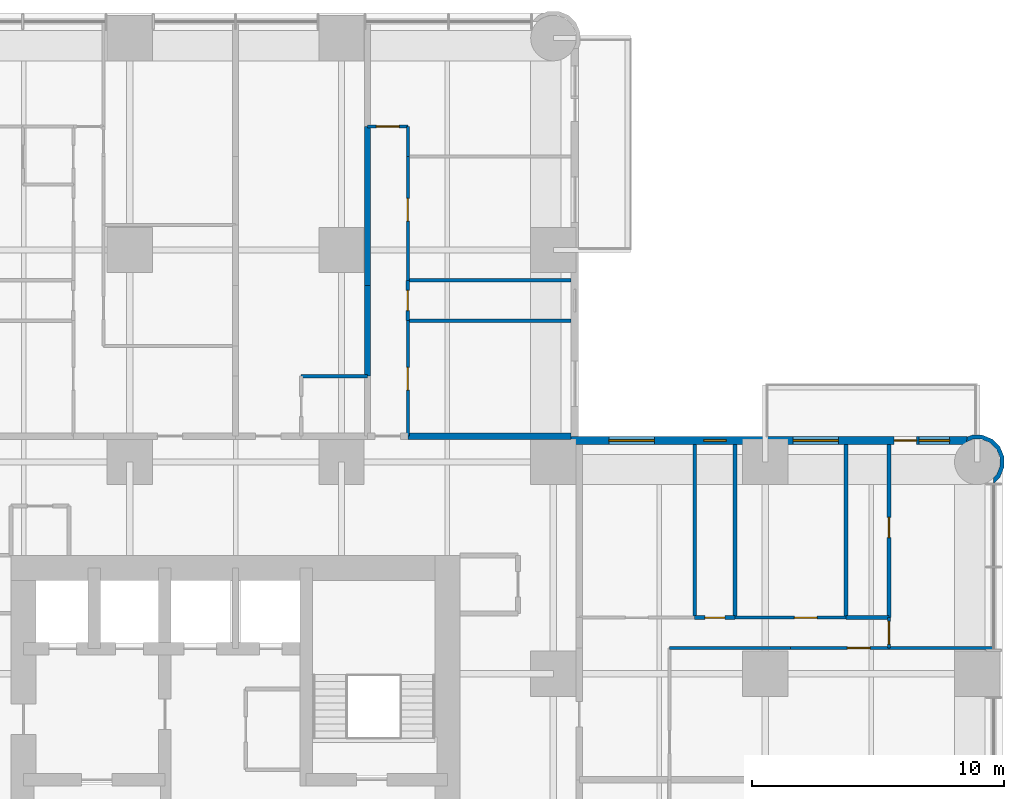
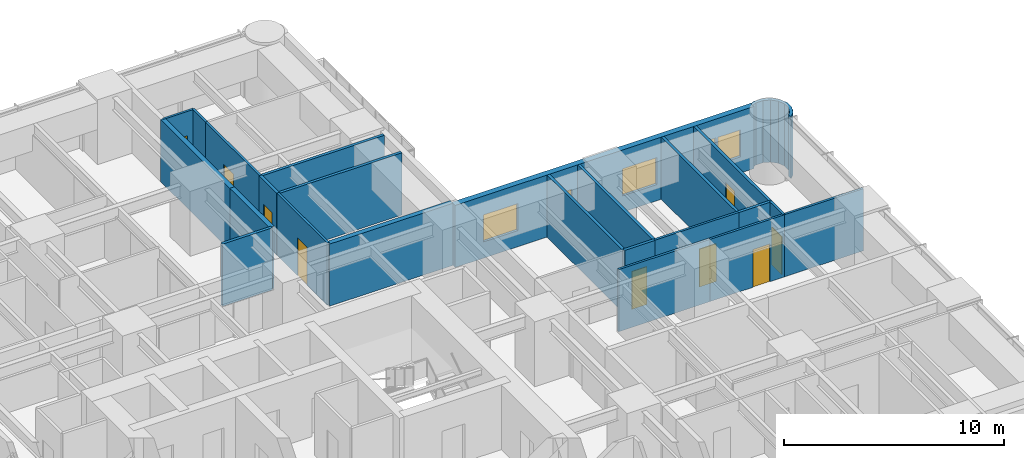
# One storey, part 14 of 17: 24 walls, 10 doors, 4 windows, 14 openings.
"""IFC4 building model written with IfcOpenShell, lengths in metres."""

from ifc_helpers import new_model, si_unit, direction, frame, frame_2d, origin, place, context, subcontext, project, spatial, polyline, rectangle, outline, extrude, material, layer, layer_set, type_object, element, fill, save


model = new_model("IFC4")

# Units and contexts
model_context = context("Model", 3, precision=1e-05, world=origin(), true_north=direction((0.0, 1.0)))
body_context = subcontext(model_context, "Body", "Model", "MODEL_VIEW")
ifc_project = project(units=[si_unit("LENGTHUNIT", "METRE"), si_unit("AREAUNIT", "SQUARE_METRE"), si_unit("VOLUMEUNIT", "CUBIC_METRE"), si_unit("PLANEANGLEUNIT", "RADIAN"), si_unit("MASSUNIT", "GRAM", prefix="KILO")], contexts=[model_context])

# Site, building, storey
site_placement = place(None, origin())
site = spatial("IfcSite", under=ifc_project, at=site_placement, CompositionType="ELEMENT")
building_placement = place(site_placement, origin())
building = spatial("IfcBuilding", under=site, at=building_placement, Name="Torre Alcanfor", CompositionType="ELEMENT")
storey_placement = place(building_placement, frame((0.0, 0.0, 70.5)))
storey = spatial("IfcBuildingStorey", under=building, at=storey_placement, Name="L17", CompositionType="ELEMENT", Elevation=70.5)

# Wall
ifc_material_1 = material(Name="Concrete block masonry, hollow blocks NMX-C-404 9 MPa", Category="masonry")
ifc_layer_1 = layer(ifc_material_1, 0.25)
ifc_layer_set_1 = layer_set([ifc_layer_1], Name="Apartment entrance wall 250 EI 60")
wall_type_1 = type_object("IfcWallType", Name="Apartment entrance wall 250 EI 60", PredefinedType="PARTITIONING", material=ifc_layer_set_1)
wall_1_placement = place(storey_placement, frame((36.22900390625, 43.02490234375, 0.0), z_axis=(0.0, 0.0, 1.0), x_axis=(1.0, 0.0, 0.0)))
element("IfcWall", 1, at=wall_1_placement, inside=storey, type_object=wall_type_1, Name="Partition L17-CORR / L17-N2B-BED2", PredefinedType="PARTITIONING", context=body_context, shape_type="SweptSolid", body=[
    extrude(rectangle(XDim=6.470947265625, YDim=0.25, at=frame_2d((3.2353515625, 0.0))), origin(), (0.0, 0.0, 1.0), 3.449951171875),
])

# Wall, opening, door
ifc_material_2 = material(Name="Gypsum board on steel studs", Category="steel")
ifc_layer_2 = layer(ifc_material_2, 0.1201171875)
ifc_layer_set_2 = layer_set([ifc_layer_2], Name="Apartment partition 120")
wall_type_2 = type_object("IfcWallType", Name="Apartment partition 120", PredefinedType="PARTITIONING", material=ifc_layer_set_2)
wall_2_placement = place(storey_placement, frame((36.22900390625, 47.60009765625, 0.0), z_axis=(0.0, 0.0, 1.0), x_axis=(0.0, -1.0, 0.0)))
wall_2 = element("IfcWall", 2, at=wall_2_placement, inside=storey, type_object=wall_type_2, Name="Partition L17-N2B-HALL / L17-N2B-BED2", PredefinedType="PARTITIONING", context=body_context, shape_type="SweptSolid", body=[
    extrude(rectangle(XDim=4.5751953125, YDim=0.1201171875, at=frame_2d((2.28759765625, 0.0))), origin(), (0.0, 0.0, 1.0), 3.449951171875),
])
opening_1_placement = place(wall_2_placement, frame((1.85009765625, 0.0, 0.0)))
opening_1 = element("IfcOpeningElement", 3, at=opening_1_placement, cuts=wall_2, Name="Opening D-R1", PredefinedType="OPENING", context=body_context, shape_type="SweptSolid", body=[
    extrude(rectangle(XDim=0.89990234375, YDim=2.10009765625, at=frame_2d((0.449951171875, 1.050048828125))), frame((0.0, 0.070068359375, 0.0), z_axis=(0.0, -1.0, 0.0), x_axis=(1.0, 0.0, 0.0)), (0.0, 0.0, 1.0), 0.14013671875),
])
ifc_material_3 = material(Name="Timber", Category="wood")
door_type_1 = type_object("IfcDoorType", Name="Internal door 900x2100", OperationType="SINGLE_SWING_LEFT", PredefinedType="DOOR", material=ifc_material_3)
door_1_placement = place(opening_1_placement, origin())
door_1 = element("IfcDoor", 4, at=door_1_placement, inside=storey, type_object=door_type_1, Name="Door L17-N2B bed2", OperationType="SINGLE_SWING_RIGHT", OverallHeight=2.10009765625, OverallWidth=0.89990234375, PredefinedType="DOOR", context=body_context, shape_type="SweptSolid", body=[
    extrude(rectangle(XDim=0.89990234375, YDim=2.10009765625, at=frame_2d((0.449951171875, 1.050048828125))), frame((0.0, 0.02490234375, 0.0), z_axis=(0.0, -1.0, 0.0), x_axis=(1.0, 0.0, 0.0)), (0.0, 0.0, 1.0), 0.050048828125),
])
fill(opening_1, door_1)

wall_3_placement = place(storey_placement, frame((36.22900390625, 54.10009765625, 0.0), z_axis=(0.0, 0.0, 1.0), x_axis=(0.0, -1.0, 0.0)))
wall_3 = element("IfcWall", 5, at=wall_3_placement, inside=storey, type_object=wall_type_2, Name="Partition L17-N2B-HALL / L17-N2B-MASTER", PredefinedType="PARTITIONING", context=body_context, shape_type="SweptSolid", body=[
    extrude(rectangle(XDim=4.900146484375, YDim=0.1201171875, at=frame_2d((2.4501953125, 0.0))), origin(), (0.0, 0.0, 1.0), 3.449951171875),
])
opening_2_placement = place(wall_3_placement, frame((1.64990234375, 0.0, 0.0)))
opening_2 = element("IfcOpeningElement", 6, at=opening_2_placement, cuts=wall_3, Name="Opening D-R1", PredefinedType="OPENING", context=body_context, shape_type="SweptSolid", body=[
    extrude(rectangle(XDim=0.89990234375, YDim=2.10009765625, at=frame_2d((0.449951171875, 1.050048828125))), frame((0.0, 0.070068359375, 0.0), z_axis=(0.0, -1.0, 0.0), x_axis=(1.0, 0.0, 0.0)), (0.0, 0.0, 1.0), 0.14013671875),
])
door_2_placement = place(opening_2_placement, origin())
door_2 = element("IfcDoor", 7, at=door_2_placement, inside=storey, type_object=door_type_1, Name="Door L17-N2B master", OperationType="SINGLE_SWING_LEFT", OverallHeight=2.10009765625, OverallWidth=0.89990234375, PredefinedType="DOOR", context=body_context, shape_type="SweptSolid", body=[
    extrude(rectangle(XDim=0.89990234375, YDim=2.10009765625, at=frame_2d((0.449951171875, 1.050048828125))), frame((0.0, 0.02490234375, 0.0), z_axis=(0.0, -1.0, 0.0), x_axis=(1.0, 0.0, 0.0)), (0.0, 0.0, 1.0), 0.050048828125),
])
fill(opening_2, door_2)

# Wall
wall_4_placement = place(storey_placement, frame((36.22900390625, 55.300048828125, 0.0), z_axis=(0.0, 0.0, 1.0), x_axis=(0.0, -1.0, 0.0)))
element("IfcWall", 8, at=wall_4_placement, inside=storey, type_object=wall_type_2, Name="Partition L17-N2B-HALL / L17-N2B-KITCHEN", PredefinedType="PARTITIONING", context=body_context, shape_type="SweptSolid", body=[
    extrude(rectangle(XDim=1.199951171875, YDim=0.1201171875, at=frame_2d((0.60009765625, 0.0))), origin(), (0.0, 0.0, 1.0), 3.449951171875),
])

# Wall, opening, door
wall_5_placement = place(storey_placement, frame((34.62890625, 55.300048828125, 0.0), z_axis=(0.0, 0.0, 1.0), x_axis=(1.0, 0.0, 0.0)))
wall_5 = element("IfcWall", 9, at=wall_5_placement, inside=storey, type_object=wall_type_2, Name="Partition L17-N2B-HALL / L17-N2B-LIVING", PredefinedType="PARTITIONING", context=body_context, shape_type="SweptSolid", body=[
    extrude(rectangle(XDim=1.60009765625, YDim=0.1201171875, at=frame_2d((0.800048828125, 0.0))), origin(), (0.0, 0.0, 1.0), 3.449951171875),
])
opening_3_placement = place(wall_5_placement, frame((0.35009765625, 0.0, 0.0)))
opening_3 = element("IfcOpeningElement", 10, at=opening_3_placement, cuts=wall_5, Name="Opening D-R1", PredefinedType="OPENING", context=body_context, shape_type="SweptSolid", body=[
    extrude(rectangle(XDim=0.89990234375, YDim=2.10009765625, at=frame_2d((0.449951171875, 1.050048828125))), frame((0.0, 0.070068359375, 0.0), z_axis=(0.0, -1.0, 0.0), x_axis=(1.0, 0.0, 0.0)), (0.0, 0.0, 1.0), 0.14013671875),
])
door_3_placement = place(opening_3_placement, origin())
door_3 = element("IfcDoor", 11, at=door_3_placement, inside=storey, type_object=door_type_1, Name="Door L17-N2B living", OperationType="SINGLE_SWING_LEFT", OverallHeight=2.10009765625, OverallWidth=0.89990234375, PredefinedType="DOOR", context=body_context, shape_type="SweptSolid", body=[
    extrude(rectangle(XDim=0.89990234375, YDim=2.10009765625, at=frame_2d((0.449951171875, 1.050048828125))), frame((0.0, 0.02490234375, 0.0), z_axis=(0.0, -1.0, 0.0), x_axis=(1.0, 0.0, 0.0)), (0.0, 0.0, 1.0), 0.050048828125),
])
fill(opening_3, door_3)

# Wall
wall_6_placement = place(storey_placement, frame((51.39990234375, 34.62890625, 0.0), z_axis=(0.0, 0.0, 1.0), x_axis=(-1.0, 0.0, 0.0)))
element("IfcWall", 12, at=wall_6_placement, inside=storey, type_object=wall_type_2, Name="Partition L17-E1-KITCHEN / L17-E1-HALL", PredefinedType="PARTITIONING", context=body_context, shape_type="SweptSolid", body=[
    extrude(rectangle(XDim=4.7998046875, YDim=0.1201171875, at=frame_2d((2.39990234375, 0.0))), origin(), (0.0, 0.0, 1.0), 3.449951171875),
])

# Wall, opening, door
wall_7_placement = place(storey_placement, frame((55.300048828125, 34.62890625, 0.0), z_axis=(0.0, 0.0, 1.0), x_axis=(-1.0, 0.0, 0.0)))
wall_7 = element("IfcWall", 13, at=wall_7_placement, inside=storey, type_object=wall_type_2, Name="Partition L17-E1-LIVING / L17-E1-HALL", PredefinedType="PARTITIONING", context=body_context, shape_type="SweptSolid", body=[
    extrude(rectangle(XDim=3.900146484375, YDim=0.1201171875, at=frame_2d((1.9501953125, 0.0))), origin(), (0.0, 0.0, 1.0), 3.449951171875),
])
opening_4_placement = place(wall_7_placement, frame((0.75, 0.0, 0.0)))
opening_4 = element("IfcOpeningElement", 14, at=opening_4_placement, cuts=wall_7, Name="Opening D-R1", PredefinedType="OPENING", context=body_context, shape_type="SweptSolid", body=[
    extrude(rectangle(XDim=0.89990234375, YDim=2.10009765625, at=frame_2d((0.449951171875, 1.050048828125))), frame((0.0, 0.070068359375, 0.0), z_axis=(0.0, -1.0, 0.0), x_axis=(1.0, 0.0, 0.0)), (0.0, 0.0, 1.0), 0.14013671875),
])
door_4_placement = place(opening_4_placement, origin())
door_4 = element("IfcDoor", 15, at=door_4_placement, inside=storey, type_object=door_type_1, Name="Door L17-E1 living", OperationType="SINGLE_SWING_RIGHT", OverallHeight=2.10009765625, OverallWidth=0.89990234375, PredefinedType="DOOR", context=body_context, shape_type="SweptSolid", body=[
    extrude(rectangle(XDim=0.89990234375, YDim=2.10009765625, at=frame_2d((0.449951171875, 1.050048828125))), frame((0.0, 0.02490234375, 0.0), z_axis=(0.0, -1.0, 0.0), x_axis=(1.0, 0.0, 0.0)), (0.0, 0.0, 1.0), 0.050048828125),
])
fill(opening_4, door_4)

# Wall
wall_8_placement = place(storey_placement, frame((59.449951171875, 34.62890625, 0.0), z_axis=(0.0, 0.0, 1.0), x_axis=(-1.0, 0.0, 0.0)))
element("IfcWall", 16, at=wall_8_placement, inside=storey, type_object=wall_type_2, Name="Partition L17-E1-LIVING / L17-E1-MASTER", PredefinedType="PARTITIONING", context=body_context, shape_type="SweptSolid", body=[
    extrude(rectangle(XDim=4.14990234375, YDim=0.1201171875, at=frame_2d((2.074951171875, 0.0))), origin(), (0.0, 0.0, 1.0), 3.449951171875),
])

# Wall, opening, door
wall_9_placement = place(storey_placement, frame((53.60009765625, 35.8291015625, 0.0), z_axis=(0.0, 0.0, 1.0), x_axis=(-1.0, 0.0, 0.0)))
wall_9 = element("IfcWall", 17, at=wall_9_placement, inside=storey, type_object=wall_type_2, Name="Partition L17-E1-HALL / L17-E1-BED2", PredefinedType="PARTITIONING", context=body_context, shape_type="SweptSolid", body=[
    extrude(rectangle(XDim=4.400146484375, YDim=0.1201171875, at=frame_2d((2.2001953125, 0.0))), origin(), (0.0, 0.0, 1.0), 3.449951171875),
])
opening_5_placement = place(wall_9_placement, frame((1.14990234375, 0.0, 0.0)))
opening_5 = element("IfcOpeningElement", 18, at=opening_5_placement, cuts=wall_9, Name="Opening D-R1", PredefinedType="OPENING", context=body_context, shape_type="SweptSolid", body=[
    extrude(rectangle(XDim=0.89990234375, YDim=2.10009765625, at=frame_2d((0.449951171875, 1.050048828125))), frame((0.0, 0.070068359375, 0.0), z_axis=(0.0, -1.0, 0.0), x_axis=(1.0, 0.0, 0.0)), (0.0, 0.0, 1.0), 0.14013671875),
])
door_5_placement = place(opening_5_placement, frame((0.89990234375, 0.0, 0.0), z_axis=(0.0, 0.0, 1.0), x_axis=(-1.0, 0.0, 0.0)))
door_5 = element("IfcDoor", 19, at=door_5_placement, inside=storey, type_object=door_type_1, Name="Door L17-E1 bed2", OperationType="SINGLE_SWING_RIGHT", OverallHeight=2.10009765625, OverallWidth=0.89990234375, PredefinedType="DOOR", context=body_context, shape_type="SweptSolid", body=[
    extrude(rectangle(XDim=0.89990234375, YDim=2.10009765625, at=frame_2d((0.449951171875, 1.050048828125))), frame((0.0, 0.025146484375, 0.0), z_axis=(0.0, -1.0, 0.0), x_axis=(1.0, 0.0, 0.0)), (0.0, 0.0, 1.0), 0.050048828125),
])
fill(opening_5, door_5)

wall_10_placement = place(storey_placement, frame((55.300048828125, 34.62890625, 0.0), z_axis=(0.0, 0.0, 1.0), x_axis=(0.0, 1.0, 0.0)))
wall_10 = element("IfcWall", 20, at=wall_10_placement, inside=storey, type_object=wall_type_2, Name="Partition L17-E1-HALL / L17-E1-MASTER", PredefinedType="PARTITIONING", context=body_context, shape_type="SweptSolid", body=[
    extrude(rectangle(XDim=1.2001953125, YDim=0.1201171875, at=frame_2d((0.60009765625, 0.0))), origin(), (0.0, 0.0, 1.0), 3.449951171875),
])
opening_6_placement = place(wall_10_placement, frame((0.15087890625, 0.0, 0.0)))
opening_6 = element("IfcOpeningElement", 21, at=opening_6_placement, cuts=wall_10, Name="Opening D-R1", PredefinedType="OPENING", context=body_context, shape_type="SweptSolid", body=[
    extrude(rectangle(XDim=0.89990234375, YDim=2.10009765625, at=frame_2d((0.449951171875, 1.050048828125))), frame((0.0, 0.070068359375, 0.0), z_axis=(0.0, -1.0, 0.0), x_axis=(1.0, 0.0, 0.0)), (0.0, 0.0, 1.0), 0.14013671875),
])
door_6_placement = place(opening_6_placement, frame((0.89990234375, 0.0, 0.0), z_axis=(0.0, 0.0, 1.0), x_axis=(-1.0, 0.0, 0.0)))
door_6 = element("IfcDoor", 22, at=door_6_placement, inside=storey, type_object=door_type_1, Name="Door L17-E1 master", OperationType="SINGLE_SWING_RIGHT", OverallHeight=2.10009765625, OverallWidth=0.89990234375, PredefinedType="DOOR", context=body_context, shape_type="SweptSolid", body=[
    extrude(rectangle(XDim=0.89990234375, YDim=2.10009765625, at=frame_2d((0.449951171875, 1.050048828125))), frame((0.0, 0.025146484375, 0.0), z_axis=(0.0, -1.0, 0.0), x_axis=(1.0, 0.0, 0.0)), (0.0, 0.0, 1.0), 0.050048828125),
])
fill(opening_6, door_6)

# Wall, openings, door, windows
ifc_material_4 = material(Name="Limestone cladding", Category="masonry")
ifc_layer_3 = layer(ifc_material_4, 0.0400390625, Name="Facing")
ifc_material_5 = material(Name="Ventilated air cavity")
ifc_layer_4 = layer(ifc_material_5, 0.02001953125, ventilated=True, Name="Ventilated joint")
ifc_material_6 = material(Name="Mineral wool insulation", Category="insulation")
ifc_layer_5 = layer(ifc_material_6, 0.10009765625, Name="Insulation")
ifc_material_7 = material(Name="Concrete f'c 35 MPa", Category="concrete")
ifc_layer_6 = layer(ifc_material_7, 0.139892578125, Name="Backing")
ifc_layer_set_3 = layer_set([ifc_layer_3, ifc_layer_4, ifc_layer_5, ifc_layer_6], Name="External wall stone-clad 300")
wall_type_3 = type_object("IfcWallType", Name="External wall stone-clad 300", PredefinedType="SOLIDWALL", material=ifc_layer_set_3)
wall_11_placement = place(storey_placement, frame((58.39990234375, 42.85009765625, 0.0), z_axis=(0.0, 0.0, 1.0), x_axis=(-1.0, 0.0, 0.0)))
wall_11 = element("IfcWall", 23, at=wall_11_placement, inside=storey, type_object=wall_type_3, Name="External wall L17 9", PredefinedType="SOLIDWALL", context=body_context, shape_type="SweptSolid", body=[
    extrude(rectangle(XDim=15.699951171875, YDim=0.300048828125, at=frame_2d((7.85009765625, 0.0))), origin(), (0.0, 0.0, 1.0), 3.449951171875),
])
opening_7_placement = place(wall_11_placement, frame((12.39990234375, 0.0, 0.89990234375)))
opening_7 = element("IfcOpeningElement", 24, at=opening_7_placement, cuts=wall_11, Name="Opening W2", PredefinedType="OPENING", context=body_context, shape_type="SweptSolid", body=[
    extrude(rectangle(XDim=1.800048828125, YDim=1.5, at=frame_2d((0.89990234375, 0.75))), frame((0.0, 0.159912109375, 0.0), z_axis=(0.0, -1.0, 0.0), x_axis=(1.0, 0.0, 0.0)), (0.0, 0.0, 1.0), 0.320068359375),
])
opening_8_placement = place(wall_11_placement, frame((9.550048828125, 0.0, 1.5)))
opening_8 = element("IfcOpeningElement", 25, at=opening_8_placement, cuts=wall_11, Name="Opening W3", PredefinedType="OPENING", context=body_context, shape_type="SweptSolid", body=[
    extrude(rectangle(XDim=0.89990234375, YDim=0.699951171875, at=frame_2d((0.449951171875, 0.35009765625))), frame((0.0, 0.159912109375, 0.0), z_axis=(0.0, -1.0, 0.0), x_axis=(1.0, 0.0, 0.0)), (0.0, 0.0, 1.0), 0.320068359375),
])
opening_9_placement = place(wall_11_placement, frame((5.10009765625, 0.0, 0.89990234375)))
opening_9 = element("IfcOpeningElement", 26, at=opening_9_placement, cuts=wall_11, Name="Opening W2", PredefinedType="OPENING", context=body_context, shape_type="SweptSolid", body=[
    extrude(rectangle(XDim=1.800048828125, YDim=1.5, at=frame_2d((0.89990234375, 0.75))), frame((0.0, 0.159912109375, 0.0), z_axis=(0.0, -1.0, 0.0), x_axis=(1.0, 0.0, 0.0)), (0.0, 0.0, 1.0), 0.320068359375),
])
opening_10_placement = place(wall_11_placement, frame((2.0, 0.0, 0.0)))
opening_10 = element("IfcOpeningElement", 27, at=opening_10_placement, cuts=wall_11, Name="Opening D-B1", PredefinedType="OPENING", context=body_context, shape_type="SweptSolid", body=[
    extrude(rectangle(XDim=0.89990234375, YDim=2.39990234375, at=frame_2d((0.449951171875, 1.199951171875))), frame((0.0, 0.159912109375, 0.0), z_axis=(0.0, -1.0, 0.0), x_axis=(1.0, 0.0, 0.0)), (0.0, 0.0, 1.0), 0.320068359375),
])
opening_11_placement = place(wall_11_placement, frame((0.699951171875, 0.0, 0.89990234375)))
opening_11 = element("IfcOpeningElement", 28, at=opening_11_placement, cuts=wall_11, Name="Opening W4", PredefinedType="OPENING", context=body_context, shape_type="SweptSolid", body=[
    extrude(rectangle(XDim=1.199951171875, YDim=1.5, at=frame_2d((0.60009765625, 0.75))), frame((0.0, 0.159912109375, 0.0), z_axis=(0.0, -1.0, 0.0), x_axis=(1.0, 0.0, 0.0)), (0.0, 0.0, 1.0), 0.320068359375),
])
ifc_material_8 = material(Name="Aluminium and glass", Category="aluminium")
door_type_2 = type_object("IfcDoorType", Name="Balcony door glazed 900x2400", OperationType="SINGLE_SWING_LEFT", PredefinedType="DOOR", material=ifc_material_8)
door_7_placement = place(opening_10_placement, origin())
door_7 = element("IfcDoor", 29, at=door_7_placement, inside=storey, type_object=door_type_2, Name="Balcony door L17-E1", OperationType="SINGLE_SWING_RIGHT", OverallHeight=2.39990234375, OverallWidth=0.89990234375, PredefinedType="DOOR", context=body_context, shape_type="SweptSolid", body=[
    extrude(rectangle(XDim=0.89990234375, YDim=2.39990234375, at=frame_2d((0.449951171875, 1.199951171875))), frame((0.0, 0.02490234375, 0.0), z_axis=(0.0, -1.0, 0.0), x_axis=(1.0, 0.0, 0.0)), (0.0, 0.0, 1.0), 0.050048828125),
])
fill(opening_10, door_7)
ifc_material_9 = material(Name="Aluminium frame with clear double glazing", Category="aluminium")
window_type_1 = type_object("IfcWindowType", Name="Window bathroom 900x700", PartitioningType="SINGLE_PANEL", PredefinedType="WINDOW", material=ifc_material_9)
window_1_placement = place(opening_8_placement, origin())
window_1 = element("IfcWindow", 30, at=window_1_placement, inside=storey, type_object=window_type_1, Name="Window W3 L17-E1", OverallHeight=0.699951171875, OverallWidth=0.89990234375, PartitioningType="SINGLE_PANEL", PredefinedType="WINDOW", context=body_context, shape_type="SweptSolid", body=[
    extrude(rectangle(XDim=0.89990234375, YDim=0.699951171875, at=frame_2d((0.449951171875, 0.35009765625))), frame((0.0, 0.030029296875, 0.0), z_axis=(0.0, -1.0, 0.0), x_axis=(1.0, 0.0, 0.0)), (0.0, 0.0, 1.0), 0.06005859375),
])
fill(opening_8, window_1)
ifc_material_10 = material(Name="Aluminium frame with clear double glazing", Category="aluminium")
window_type_2 = type_object("IfcWindowType", Name="Window bedroom 1200x1500", PartitioningType="SINGLE_PANEL", PredefinedType="WINDOW", material=ifc_material_10)
window_2_placement = place(opening_11_placement, origin())
window_2 = element("IfcWindow", 31, at=window_2_placement, inside=storey, type_object=window_type_2, Name="Window W4 L17-E1", OverallHeight=1.5, OverallWidth=1.199951171875, PartitioningType="SINGLE_PANEL", PredefinedType="WINDOW", context=body_context, shape_type="SweptSolid", body=[
    extrude(rectangle(XDim=1.199951171875, YDim=1.5, at=frame_2d((0.60009765625, 0.75))), frame((0.0, 0.030029296875, 0.0), z_axis=(0.0, -1.0, 0.0), x_axis=(1.0, 0.0, 0.0)), (0.0, 0.0, 1.0), 0.06005859375),
])
fill(opening_11, window_2)
ifc_material_11 = material(Name="Aluminium frame with clear double glazing", Category="aluminium")
window_type_3 = type_object("IfcWindowType", Name="Window bedroom 1800x1500", PartitioningType="SINGLE_PANEL", PredefinedType="WINDOW", material=ifc_material_11)
window_3_placement = place(opening_7_placement, origin())
window_3 = element("IfcWindow", 32, at=window_3_placement, inside=storey, type_object=window_type_3, Name="Window W2 L17-E1", OverallHeight=1.5, OverallWidth=1.800048828125, PartitioningType="SINGLE_PANEL", PredefinedType="WINDOW", context=body_context, shape_type="SweptSolid", body=[
    extrude(rectangle(XDim=1.800048828125, YDim=1.5, at=frame_2d((0.89990234375, 0.75))), frame((0.0, 0.030029296875, 0.0), z_axis=(0.0, -1.0, 0.0), x_axis=(1.0, 0.0, 0.0)), (0.0, 0.0, 1.0), 0.06005859375),
])
fill(opening_7, window_3)
window_4_placement = place(opening_9_placement, origin())
window_4 = element("IfcWindow", 33, at=window_4_placement, inside=storey, type_object=window_type_3, Name="Window W2 L17-E1", OverallHeight=1.5, OverallWidth=1.800048828125, PartitioningType="SINGLE_PANEL", PredefinedType="WINDOW", context=body_context, shape_type="SweptSolid", body=[
    extrude(rectangle(XDim=1.800048828125, YDim=1.5, at=frame_2d((0.89990234375, 0.75))), frame((0.0, 0.030029296875, 0.0), z_axis=(0.0, -1.0, 0.0), x_axis=(1.0, 0.0, 0.0)), (0.0, 0.0, 1.0), 0.06005859375),
])
fill(opening_9, window_4)

# Walls
ifc_material_12 = material(Name="Concrete block masonry, hollow blocks NMX-C-404 9 MPa", Category="masonry")
ifc_layer_7 = layer(ifc_material_12, 0.25)
ifc_layer_set_4 = layer_set([ifc_layer_7], Name="Party wall 250 EI 60")
wall_type_4 = type_object("IfcWallType", Name="Party wall 250 EI 60", PredefinedType="PARTITIONING", material=ifc_layer_set_4)
wall_12_placement = place(storey_placement, frame((34.62890625, 49.0, 0.0), z_axis=(0.0, 0.0, 1.0), x_axis=(0.0, -1.0, 0.0)))
element("IfcWall", 34, at=wall_12_placement, inside=storey, type_object=wall_type_4, Name="Partition L17-N2A-KITCHEN / L17-N2B-HALL", PredefinedType="PARTITIONING", context=body_context, shape_type="SweptSolid", body=[
    extrude(rectangle(XDim=3.60009765625, YDim=0.25, at=frame_2d((1.800048828125, 0.0))), origin(), (0.0, 0.0, 1.0), 3.449951171875),
])
wall_13_placement = place(storey_placement, frame((34.62890625, 55.300048828125, 0.0), z_axis=(0.0, 0.0, 1.0), x_axis=(0.0, -1.0, 0.0)))
element("IfcWall", 35, at=wall_13_placement, inside=storey, type_object=wall_type_4, Name="Partition L17-N2A-STUDIO / L17-N2B-HALL", PredefinedType="PARTITIONING", context=body_context, shape_type="SweptSolid", body=[
    extrude(rectangle(XDim=6.300048828125, YDim=0.25, at=frame_2d((3.14990234375, 0.0))), origin(), (0.0, 0.0, 1.0), 3.449951171875),
])
ifc_layer_8 = layer(ifc_material_4, 0.0400390625, Name="Facing")
ifc_layer_9 = layer(ifc_material_5, 0.02001953125, ventilated=True, Name="Ventilated joint")
ifc_layer_10 = layer(ifc_material_6, 0.10009765625, Name="Insulation")
ifc_layer_11 = layer(ifc_material_7, 0.139892578125, Name="Backing")
ifc_layer_set_5 = layer_set([ifc_layer_8, ifc_layer_9, ifc_layer_10, ifc_layer_11], Name="Rounded corner pier stone-clad 300")
wall_type_5 = type_object("IfcWallType", Name="Rounded corner pier stone-clad 300", PredefinedType="SOLIDWALL", material=ifc_layer_set_5)
wall_14_placement = place(storey_placement, frame((59.410519256, 41.23340608, 0.0), z_axis=(0.0, 0.0, 1.0), x_axis=(0.926129809145, 0.377204953059, 0.0)))
element("IfcWall", 36, at=wall_14_placement, inside=storey, type_object=wall_type_5, Name="Corner pier L17 18", PredefinedType="SOLIDWALL", context=body_context, shape_type="SweptSolid", body=[
    extrude(outline(polyline([(0.6260654471319579, 0.34524919711057256), (0.7850146045978224, 0.7355079985228963), (0.7823098124660501, 1.1573373086599013), (0.6187697625812524, 1.546081906916958), (0.31877691555394516, 1.8425152342918512), (-0.07170799176881437, 2.0015564828107086), (-0.24004949470661174, 2.000526523212158), (-0.2695944713928893, 2.0173049949130335), (-0.36998902843916337, 1.8407134525266757), (-0.10235758996356603, 1.8421635923174307), (0.22956588655630128, 1.7069739265237522), (0.4845024203782949, 1.4552530429107593), (0.6236098424040335, 1.1249645948716174), (0.6257138051575375, 0.7663837026280839), (0.49052413936385914, 0.43446022610821644), (0.23848505878743742, 0.1793896774287799), (0.09020527382959523, 0.11693875386038477), (0.010914877202648991, -0.0777384350249053), (0.02448123182880161, -0.08326389820448342), (0.32940601384662893, 0.045348441136258355), (0.47997135267738844, 0.19755163478368112), (0.49907282709518125, 0.19267151555903828), (0.5076193949673722, 0.22530566424262682), (0.6260654471319579, 0.34524919711057256)])), origin(), (0.0, 0.0, 1.0), 3.449951171875),
])
ifc_material_13 = material(Name="Cement board on steel studs", Category="steel")
ifc_layer_12 = layer(ifc_material_13, 0.14990234375)
ifc_layer_set_6 = layer_set([ifc_layer_12], Name="Wet area partition 150")
wall_type_6 = type_object("IfcWallType", Name="Wet area partition 150", PredefinedType="PARTITIONING", material=ifc_layer_set_6)
wall_15_placement = place(storey_placement, frame((32.0, 45.39990234375, 0.0), z_axis=(0.0, 0.0, 1.0), x_axis=(1.0, 0.0, 0.0)))
element("IfcWall", 37, at=wall_15_placement, inside=storey, type_object=wall_type_6, Name="Partition L17-N2A-BATH / L17-N2A-KITCHEN", PredefinedType="PARTITIONING", context=body_context, shape_type="SweptSolid", body=[
    extrude(rectangle(XDim=2.62890625, YDim=0.14990234375, at=frame_2d((1.314453125, 0.0))), origin(), (0.0, 0.0, 1.0), 3.449951171875),
])

# Wall, opening, door
wall_16_placement = place(storey_placement, frame((36.22900390625, 49.199951171875, 0.0), z_axis=(0.0, 0.0, 1.0), x_axis=(0.0, -1.0, 0.0)))
wall_16 = element("IfcWall", 38, at=wall_16_placement, inside=storey, type_object=wall_type_6, Name="Partition L17-N2B-HALL / L17-N2B-BATH", PredefinedType="PARTITIONING", context=body_context, shape_type="SweptSolid", body=[
    extrude(rectangle(XDim=1.599853515625, YDim=0.14990234375, at=frame_2d((0.7998046875, 0.0))), origin(), (0.0, 0.0, 1.0), 3.449951171875),
])
opening_12_placement = place(wall_16_placement, frame((0.39990234375, 0.0, 0.0)))
opening_12 = element("IfcOpeningElement", 39, at=opening_12_placement, cuts=wall_16, Name="Opening D-R2", PredefinedType="OPENING", context=body_context, shape_type="SweptSolid", body=[
    extrude(rectangle(XDim=0.800048828125, YDim=2.10009765625, at=frame_2d((0.39990234375, 1.050048828125))), frame((0.0, 0.0849609375, 0.0), z_axis=(0.0, -1.0, 0.0), x_axis=(1.0, 0.0, 0.0)), (0.0, 0.0, 1.0), 0.169921875),
])
ifc_material_14 = material(Name="Timber", Category="wood")
door_type_3 = type_object("IfcDoorType", Name="Bathroom door 800x2100", OperationType="SINGLE_SWING_LEFT", PredefinedType="DOOR", material=ifc_material_14)
door_8_placement = place(opening_12_placement, origin())
door_8 = element("IfcDoor", 40, at=door_8_placement, inside=storey, type_object=door_type_3, Name="Door L17-N2B bath", OperationType="SINGLE_SWING_LEFT", OverallHeight=2.10009765625, OverallWidth=0.800048828125, PredefinedType="DOOR", context=body_context, shape_type="SweptSolid", body=[
    extrude(rectangle(XDim=0.800048828125, YDim=2.10009765625, at=frame_2d((0.39990234375, 1.050048828125))), frame((0.0, 0.02490234375, 0.0), z_axis=(0.0, -1.0, 0.0), x_axis=(1.0, 0.0, 0.0)), (0.0, 0.0, 1.0), 0.050048828125),
])
fill(opening_12, door_8)

# Walls
for number, where, z_axis, x_axis, name in (
    (41, (36.22900390625, 47.60009765625, 0.0), (0.0, 0.0, 1.0), (1.0, 0.0, 0.0), "Partition L17-N2B-BED2 / L17-N2B-BATH"),
    (42, (36.22900390625, 49.199951171875, 0.0), (0.0, 0.0, 1.0), (1.0, 0.0, 0.0), "Partition L17-N2B-BATH / L17-N2B-MASTER"),
):
    element("IfcWall", number, at=place(storey_placement, frame(where, z_axis=z_axis, x_axis=x_axis)), inside=storey, type_object=wall_type_6, Name=name, PredefinedType="PARTITIONING", context=body_context, shape_type="SweptSolid", body=[
        extrude(rectangle(XDim=6.470947265625, YDim=0.14990234375, at=frame_2d((3.2353515625, 0.0))), origin(), (0.0, 0.0, 1.0), 3.449951171875),
    ])

# Wall, opening, door
wall_17_placement = place(storey_placement, frame((49.199951171875, 35.8291015625, 0.0), z_axis=(0.0, 0.0, 1.0), x_axis=(-1.0, 0.0, 0.0)))
wall_17 = element("IfcWall", 43, at=wall_17_placement, inside=storey, type_object=wall_type_6, Name="Partition L17-E1-HALL / L17-E1-BATH1", PredefinedType="PARTITIONING", context=body_context, shape_type="SweptSolid", body=[
    extrude(rectangle(XDim=1.599853515625, YDim=0.14990234375, at=frame_2d((0.7998046875, 0.0))), origin(), (0.0, 0.0, 1.0), 3.449951171875),
])
opening_13_placement = place(wall_17_placement, frame((0.39990234375, 0.0, 0.0)))
opening_13 = element("IfcOpeningElement", 44, at=opening_13_placement, cuts=wall_17, Name="Opening D-R2", PredefinedType="OPENING", context=body_context, shape_type="SweptSolid", body=[
    extrude(rectangle(XDim=0.800048828125, YDim=2.10009765625, at=frame_2d((0.39990234375, 1.050048828125))), frame((0.0, 0.0849609375, 0.0), z_axis=(0.0, -1.0, 0.0), x_axis=(1.0, 0.0, 0.0)), (0.0, 0.0, 1.0), 0.169921875),
])
door_9_placement = place(opening_13_placement, frame((0.800048828125, 0.0, 0.0), z_axis=(0.0, 0.0, 1.0), x_axis=(-1.0, 0.0, 0.0)))
door_9 = element("IfcDoor", 45, at=door_9_placement, inside=storey, type_object=door_type_3, Name="Door L17-E1 bath1", OperationType="SINGLE_SWING_RIGHT", OverallHeight=2.10009765625, OverallWidth=0.800048828125, PredefinedType="DOOR", context=body_context, shape_type="SweptSolid", body=[
    extrude(rectangle(XDim=0.800048828125, YDim=2.10009765625, at=frame_2d((0.400146484375, 1.050048828125))), frame((0.0, 0.025146484375, 0.0), z_axis=(0.0, -1.0, 0.0), x_axis=(1.0, 0.0, 0.0)), (0.0, 0.0, 1.0), 0.050048828125),
])
fill(opening_13, door_9)

# Walls
wall_18_placement = place(storey_placement, frame((55.300048828125, 35.8291015625, 0.0), z_axis=(0.0, 0.0, 1.0), x_axis=(-1.0, 0.0, 0.0)))
element("IfcWall", 46, at=wall_18_placement, inside=storey, type_object=wall_type_6, Name="Partition L17-E1-HALL / L17-E1-ENSBATH", PredefinedType="PARTITIONING", context=body_context, shape_type="SweptSolid", body=[
    extrude(rectangle(XDim=1.699951171875, YDim=0.14990234375, at=frame_2d((0.85009765625, 0.0))), origin(), (0.0, 0.0, 1.0), 3.449951171875),
])
for number, where, z_axis, x_axis, name in (
    (47, (47.60009765625, 35.8291015625, 0.0), (0.0, 0.0, 1.0), (0.0, 1.0, 0.0), "Partition L17-E1-BED3 / L17-E1-BATH1"),
    (48, (49.199951171875, 35.8291015625, 0.0), (0.0, 0.0, 1.0), (0.0, 1.0, 0.0), "Partition L17-E1-BATH1 / L17-E1-BED2"),
    (49, (53.60009765625, 35.8291015625, 0.0), (0.0, 0.0, 1.0), (0.0, 1.0, 0.0), "Partition L17-E1-BED2 / L17-E1-ENSBATH"),
):
    element("IfcWall", number, at=place(storey_placement, frame(where, z_axis=z_axis, x_axis=x_axis)), inside=storey, type_object=wall_type_6, Name=name, PredefinedType="PARTITIONING", context=body_context, shape_type="SweptSolid", body=[
        extrude(rectangle(XDim=6.870849609375, YDim=0.14990234375, at=frame_2d((3.435546875, 0.0))), origin(), (0.0, 0.0, 1.0), 3.449951171875),
    ])

# Wall, opening, door
wall_19_placement = place(storey_placement, frame((55.300048828125, 35.8291015625, 0.0), z_axis=(0.0, 0.0, 1.0), x_axis=(0.0, 1.0, 0.0)))
wall_19 = element("IfcWall", 50, at=wall_19_placement, inside=storey, type_object=wall_type_6, Name="Partition L17-E1-ENSBATH / L17-E1-MASTER", PredefinedType="PARTITIONING", context=body_context, shape_type="SweptSolid", body=[
    extrude(rectangle(XDim=6.870849609375, YDim=0.14990234375, at=frame_2d((3.435546875, 0.0))), origin(), (0.0, 0.0, 1.0), 3.449951171875),
])
opening_14_placement = place(wall_19_placement, frame((3.1708984375, 0.0, 0.0)))
opening_14 = element("IfcOpeningElement", 51, at=opening_14_placement, cuts=wall_19, Name="Opening D-R2", PredefinedType="OPENING", context=body_context, shape_type="SweptSolid", body=[
    extrude(rectangle(XDim=0.800048828125, YDim=2.10009765625, at=frame_2d((0.39990234375, 1.050048828125))), frame((0.0, 0.0849609375, 0.0), z_axis=(0.0, -1.0, 0.0), x_axis=(1.0, 0.0, 0.0)), (0.0, 0.0, 1.0), 0.169921875),
])
door_10_placement = place(opening_14_placement, origin())
door_10 = element("IfcDoor", 52, at=door_10_placement, inside=storey, type_object=door_type_3, Name="Door L17-E1 ensbath", OperationType="SINGLE_SWING_RIGHT", OverallHeight=2.10009765625, OverallWidth=0.800048828125, PredefinedType="DOOR", context=body_context, shape_type="SweptSolid", body=[
    extrude(rectangle(XDim=0.800048828125, YDim=2.10009765625, at=frame_2d((0.39990234375, 1.050048828125))), frame((0.0, 0.02490234375, 0.0), z_axis=(0.0, -1.0, 0.0), x_axis=(1.0, 0.0, 0.0)), (0.0, 0.0, 1.0), 0.050048828125),
])
fill(opening_14, door_10)

save(model, "model.ifc")
